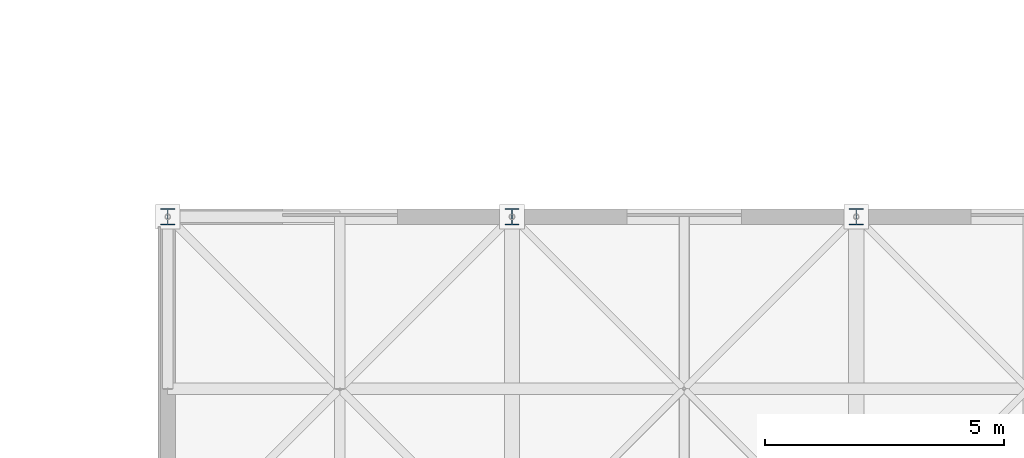
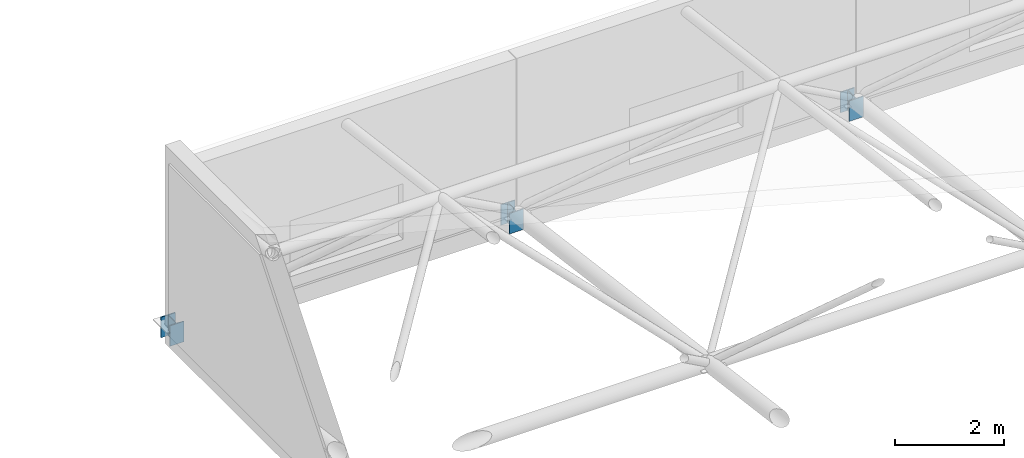
# One storey, part 12 of 103: 3 columns.
"""IFC4 building model written with IfcOpenShell, lengths in metres."""

from ifc_helpers import new_model, si_unit, direction, frame, origin, origin_2d, place, context, subcontext, project, spatial, i_section, extrude, material, material_profile, profile_set, type_object, element, save


model = new_model("IFC4")

# Units and contexts
model_context = context("Model", 3, precision=1e-05, world=origin(), true_north=direction((0.0, 1.0)))
body_context = subcontext(model_context, "Body", "Model", "MODEL_VIEW")
ifc_project = project(units=[si_unit("LENGTHUNIT", "METRE"), si_unit("AREAUNIT", "SQUARE_METRE"), si_unit("VOLUMEUNIT", "CUBIC_METRE"), si_unit("PLANEANGLEUNIT", "RADIAN"), si_unit("MASSUNIT", "GRAM", prefix="KILO")], contexts=[model_context])

# Site, building, storey
site_placement = place(None, origin())
site = spatial("IfcSite", under=ifc_project, at=site_placement, CompositionType="ELEMENT")
building_placement = place(site_placement, origin())
building = spatial("IfcBuilding", under=site, at=building_placement, Name="Thalmaran Polytechnic", CompositionType="ELEMENT")
storey_placement = place(building_placement, frame((0.0, 0.0, 14.39990234375)))
storey = spatial("IfcBuildingStorey", under=building, at=storey_placement, Name="L03", CompositionType="ELEMENT", Elevation=14.39990234375)

# Columns
ifc_material = material(Name="Steel S355", Category="steel")
ifc_material_profile = material_profile(ifc_material, i_section(OverallWidth=0.300048828125, OverallDepth=0.340087890625, WebThickness=0.011962890625, FlangeThickness=0.021484375, at=origin_2d()), Name="HEB 340")
ifc_profile_set = profile_set([ifc_material_profile], Name="Steel S355")
column_type = type_object("IfcColumnType", Name="COL-SC1", PredefinedType="COLUMN", material=ifc_profile_set)
for number, where, z_axis, x_axis, name in (
    (1, (108.0, 50.39990234375, 0.0), (0.0, 0.0, 1.0), (1.0, 0.0, 0.0), "Space-Frame Bearing Pedestal (15,7)"),
    (2, (115.199951171875, 50.39990234375, 0.0), (0.0, 0.0, 1.0), (1.0, 0.0, 0.0), "Space-Frame Bearing Pedestal (16,7)"),
    (3, (122.39990234375, 50.39990234375, 0.0), (0.0, 0.0, 1.0), (1.0, 0.0, 0.0), "Space-Frame Bearing Pedestal (17,7)"),
):
    element("IfcColumn", number, at=place(storey_placement, frame(where, z_axis=z_axis, x_axis=x_axis)), inside=storey, type_object=column_type, Name=name, PredefinedType="COLUMN", context=body_context, shape_type="SweptSolid", body=[
        extrude(i_section(OverallWidth=0.300048828125, OverallDepth=0.340087890625, WebThickness=0.011962890625, FlangeThickness=0.021484375, at=origin_2d()), origin(), (0.0, 0.0, 1.0), 0.460205078125),
    ])

save(model, "model.ifc")
